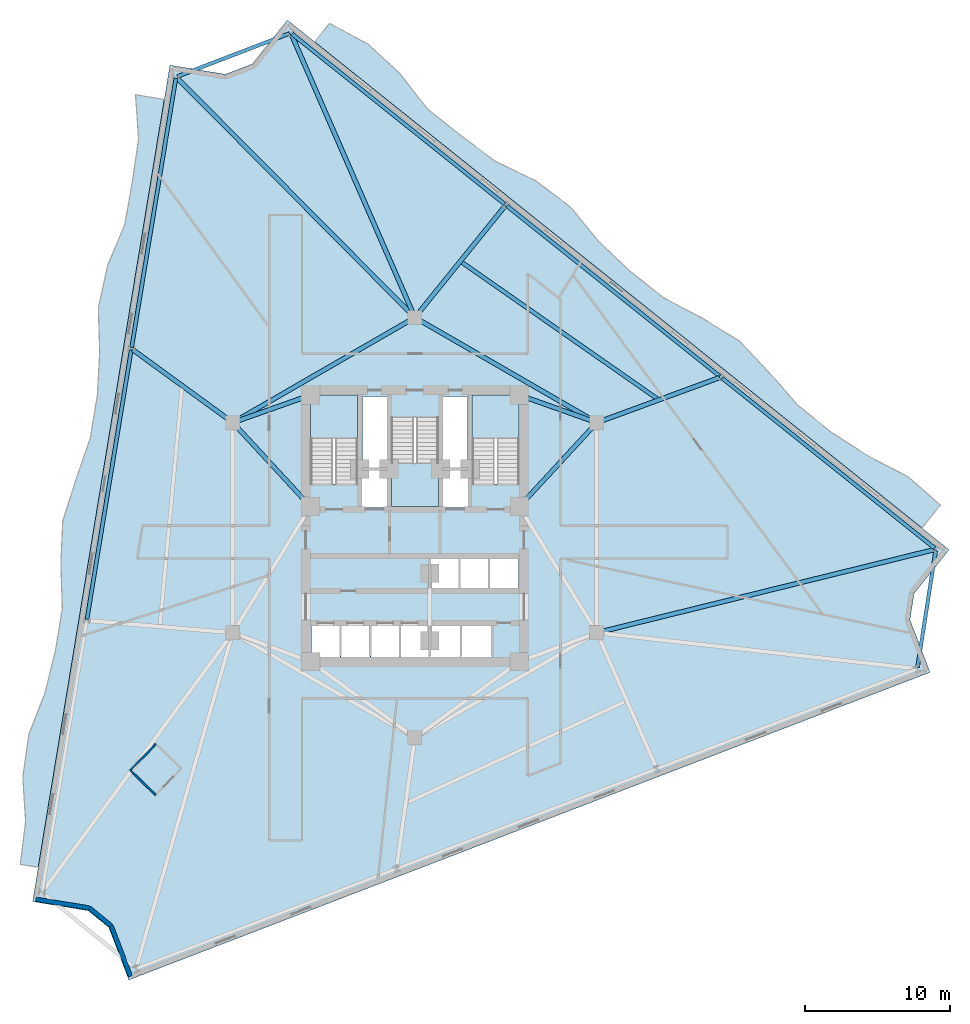
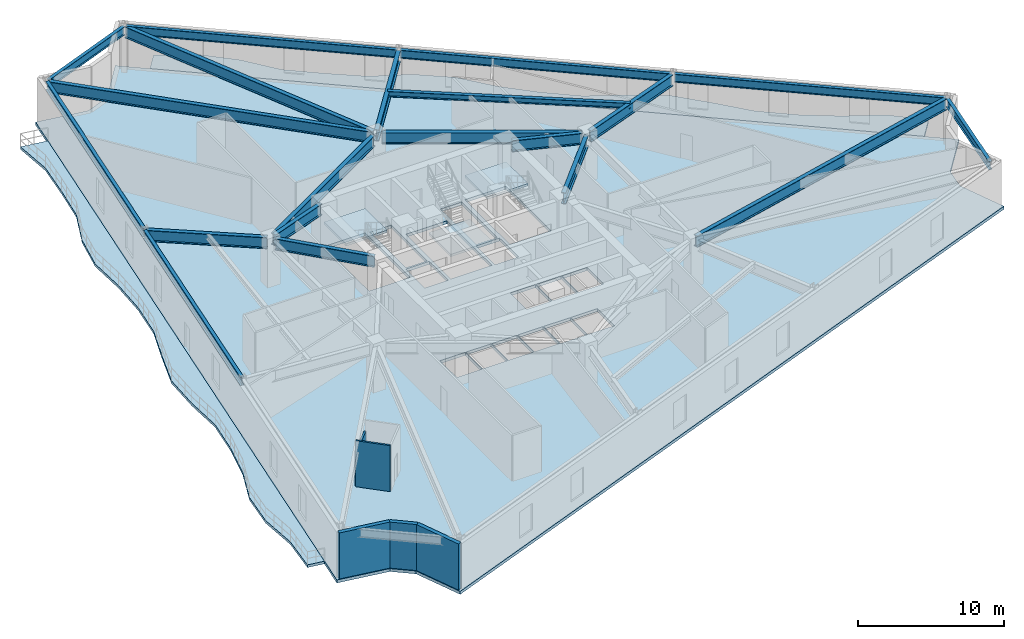
# One storey, part 3 of 10: 20 beams, 6 slabs, 5 walls, 3 elements without a shape of their own.
"""IFC4 building model written with IfcOpenShell, lengths in metres."""

from ifc_helpers import new_model, si_unit, direction, frame, frame_2d, origin, origin_2d, place, context, subcontext, project, spatial, polyline, rectangle, i_section, outline, extrude, material, layer, layer_set, material_profile, profile_set, type_object, element, aggregate, save


model = new_model("IFC4")

# Units and contexts
model_context = context("Model", 3, precision=1e-05, world=origin(), true_north=direction((0.0, 1.0)))
body_context = subcontext(model_context, "Body", "Model", "MODEL_VIEW")
ifc_project = project(units=[si_unit("LENGTHUNIT", "METRE"), si_unit("AREAUNIT", "SQUARE_METRE"), si_unit("VOLUMEUNIT", "CUBIC_METRE"), si_unit("PLANEANGLEUNIT", "RADIAN"), si_unit("MASSUNIT", "GRAM", prefix="KILO")], contexts=[model_context])

# Site, building, storey
site_placement = place(None, origin())
site = spatial("IfcSite", under=ifc_project, at=site_placement, CompositionType="ELEMENT")
building_placement = place(site_placement, origin())
building = spatial("IfcBuilding", under=site, at=building_placement, Name="Apsidion Concourse Tower", CompositionType="ELEMENT")
storey_placement = place(building_placement, frame((0.0, 0.0, 152.699951171875)))
storey = spatial("IfcBuildingStorey", under=building, at=storey_placement, Name="L35", CompositionType="ELEMENT", Elevation=152.699951171875)

# Beams
ifc_material_1 = material(Name="Structural steel ASTM A992 Grade 50", Category="steel")
ifc_material_profile_1 = material_profile(ifc_material_1, i_section(OverallWidth=0.280029296875, OverallDepth=0.462890625, WebThickness=0.0107421875, FlangeThickness=0.017333984375, at=origin_2d()), Name="W18X76")
ifc_profile_set_1 = profile_set([ifc_material_profile_1], Name="Structural steel ASTM A992 Grade 50")
beam_type_1 = type_object("IfcBeamType", Name="BM-FL-W18M", PredefinedType="BEAM", material=ifc_profile_set_1)
beam_1_placement = place(storey_placement, frame((16.836181640625, 8.818359375, 3.61865234375), z_axis=(-0.819987071057, 0.572382043131, 0.0), x_axis=(-0.572382043131, -0.819987071057, 0.0)))
element("IfcBeam", 1, at=beam_1_placement, inside=storey, type_object=beam_type_1, Name="L35 Secondary Floor Beam SEC-F3", PredefinedType="BEAM", context=body_context, shape_type="SweptSolid", body=[
    extrude(i_section(OverallWidth=0.280029296875, OverallDepth=0.462890625, WebThickness=0.0107421875, FlangeThickness=0.017333984375, at=origin_2d()), origin(), (0.0, 0.0, 1.0), 16.70703125),
])
ifc_material_profile_2 = material_profile(ifc_material_1, i_section(OverallWidth=0.31005859375, OverallDepth=0.931884765625, WebThickness=0.02099609375, FlangeThickness=0.034423828125, at=origin_2d()), Name="W36X210")
ifc_profile_set_2 = profile_set([ifc_material_profile_2], Name="Structural steel ASTM A992 Grade 50")
beam_type_2 = type_object("IfcBeamType", Name="BM-G-W36", PredefinedType="USERDEFINED", material=ifc_profile_set_2)
beam_2_placement = place(storey_placement, frame((12.28857421875, 6.956298828125, 3.384033203125), z_axis=(-0.678712876106, -0.73440372535, 0.0), x_axis=(0.73440372535, -0.678712876106, 0.0)))
element("IfcBeam", 2, at=beam_2_placement, inside=storey, type_object=beam_type_2, Name="L35 Core Coupling Girder IC3-SC3", ObjectType="GIRDER", PredefinedType="USERDEFINED", context=body_context, shape_type="SweptSolid", body=[
    extrude(i_section(OverallWidth=0.31005859375, OverallDepth=0.931884765625, WebThickness=0.02099609375, FlangeThickness=0.034423828125, at=origin_2d()), origin(), (0.0, 0.0, 1.0), 7.097412109375),
])
beam_3_placement = place(storey_placement, frame((12.18310546875, 7.383544921875, 3.384033203125), z_axis=(-0.942533844539, 0.334110688094, 0.0), x_axis=(-0.334110688094, -0.942533844539, 0.0)))
element("IfcBeam", 3, at=beam_3_placement, inside=storey, type_object=beam_type_2, Name="L35 Core Coupling Girder IC3-SC4", ObjectType="GIRDER", PredefinedType="USERDEFINED", context=body_context, shape_type="SweptSolid", body=[
    extrude(i_section(OverallWidth=0.31005859375, OverallDepth=0.931884765625, WebThickness=0.02099609375, FlangeThickness=0.034423828125, at=origin_2d()), origin(), (0.0, 0.0, 1.0), 4.886962890625),
])
beam_4_placement = place(storey_placement, frame((-12.28857421875, 6.956298828125, 3.384033203125), z_axis=(0.678712876106, -0.73440372535, 0.0), x_axis=(0.73440372535, 0.678712876106, 0.0)))
element("IfcBeam", 4, at=beam_4_placement, inside=storey, type_object=beam_type_2, Name="L35 Core Coupling Girder IC5-SC6", ObjectType="GIRDER", PredefinedType="USERDEFINED", context=body_context, shape_type="SweptSolid", body=[
    extrude(i_section(OverallWidth=0.31005859375, OverallDepth=0.931884765625, WebThickness=0.02099609375, FlangeThickness=0.034423828125, at=origin_2d()), origin(), (0.0, 0.0, 1.0), 7.097412109375),
])
beam_5_placement = place(storey_placement, frame((-12.18310546875, 7.383544921875, 3.384033203125), z_axis=(0.942533844539, 0.334110688094, 0.0), x_axis=(-0.334110688094, 0.942533844539, 0.0)))
element("IfcBeam", 5, at=beam_5_placement, inside=storey, type_object=beam_type_2, Name="L35 Core Coupling Girder IC5-SC5", ObjectType="GIRDER", PredefinedType="USERDEFINED", context=body_context, shape_type="SweptSolid", body=[
    extrude(i_section(OverallWidth=0.31005859375, OverallDepth=0.931884765625, WebThickness=0.02099609375, FlangeThickness=0.034423828125, at=origin_2d()), origin(), (0.0, 0.0, 1.0), 4.886962890625),
])
for number, where, z_axis, x_axis, name in (
    (6, (-12.213623046875, 7.449951171875, 3.384033203125), (0.866070471464, 0.499921932364, 0.0), (-0.499921932364, 0.866070471464, 0.0), "L35 Core Coupling Girder IC5-IC4"),
    (7, (0.346435546875, 14.300048828125, 3.384033203125), (0.866070471464, -0.499921932364, 0.0), (0.499921932364, 0.866070471464, 0.0), "L35 Core Coupling Girder IC4-IC3"),
):
    element("IfcBeam", number, at=place(storey_placement, frame(where, z_axis=z_axis, x_axis=x_axis)), inside=storey, type_object=beam_type_2, Name=name, ObjectType="GIRDER", PredefinedType="USERDEFINED", context=body_context, shape_type="SweptSolid", body=[
        extrude(i_section(OverallWidth=0.31005859375, OverallDepth=0.931884765625, WebThickness=0.02099609375, FlangeThickness=0.034423828125, at=origin_2d()), origin(), (0.0, 0.0, 1.0), 13.702392578125),
    ])
beam_6_placement = place(storey_placement, frame((-0.155029296875, 14.656005859375, 3.384033203125), z_axis=(-0.704472079086, 0.709731702679, 0.0), x_axis=(-0.709731702679, -0.704472079086, 0.0)))
element("IfcBeam", 8, at=beam_6_placement, inside=storey, type_object=beam_type_2, Name="L35 Radial Floor Girder RAD-01", ObjectType="GIRDER", PredefinedType="USERDEFINED", context=body_context, shape_type="SweptSolid", body=[
    extrude(i_section(OverallWidth=0.31005859375, OverallDepth=0.931884765625, WebThickness=0.02099609375, FlangeThickness=0.034423828125, at=origin_2d()), origin(), (0.0, 0.0, 1.0), 23.069580078125),
])
beam_7_placement = place(storey_placement, frame((-12.73779296875, 7.37939453125, 3.384033203125), z_axis=(-0.80838519092, 0.588653873767, 0.0), x_axis=(-0.588653873767, -0.80838519092, 0.0)))
element("IfcBeam", 9, at=beam_7_placement, inside=storey, type_object=beam_type_2, Name="L35 Radial Floor Girder RAD-02", ObjectType="GIRDER", PredefinedType="USERDEFINED", context=body_context, shape_type="SweptSolid", body=[
    extrude(i_section(OverallWidth=0.31005859375, OverallDepth=0.931884765625, WebThickness=0.02099609375, FlangeThickness=0.034423828125, at=origin_2d()), origin(), (0.0, 0.0, 1.0), 8.337646484375),
])
beam_8_placement = place(storey_placement, frame((12.773681640625, -7.197509765625, 3.384033203125), z_axis=(0.970978267366, 0.239167732569, 0.0), x_axis=(-0.239167732569, 0.970978267366, 0.0)))
element("IfcBeam", 10, at=beam_8_placement, inside=storey, type_object=beam_type_2, Name="L35 Radial Floor Girder RAD-09", ObjectType="GIRDER", PredefinedType="USERDEFINED", context=body_context, shape_type="SweptSolid", body=[
    extrude(i_section(OverallWidth=0.31005859375, OverallDepth=0.931884765625, WebThickness=0.02099609375, FlangeThickness=0.034423828125, at=origin_2d()), origin(), (0.0, 0.0, 1.0), 23.770263671875),
])
beam_9_placement = place(storey_placement, frame((12.7666015625, 7.32568359375, 3.384033203125), z_axis=(0.938840099728, 0.34435340443, 0.0), x_axis=(-0.34435340443, 0.938840099728, 0.0)))
element("IfcBeam", 11, at=beam_9_placement, inside=storey, type_object=beam_type_2, Name="L35 Radial Floor Girder RAD-10", ObjectType="GIRDER", PredefinedType="USERDEFINED", context=body_context, shape_type="SweptSolid", body=[
    extrude(i_section(OverallWidth=0.31005859375, OverallDepth=0.931884765625, WebThickness=0.02099609375, FlangeThickness=0.034423828125, at=origin_2d()), origin(), (0.0, 0.0, 1.0), 8.789306640625),
])
beam_10_placement = place(storey_placement, frame((0.13818359375, 14.671142578125, 3.384033203125), z_axis=(0.628598256624, 0.777730179284, 0.0), x_axis=(-0.777730179284, 0.628598256624, 0.0)))
element("IfcBeam", 12, at=beam_10_placement, inside=storey, type_object=beam_type_2, Name="L35 Radial Floor Girder RAD-11", ObjectType="GIRDER", PredefinedType="USERDEFINED", context=body_context, shape_type="SweptSolid", body=[
    extrude(i_section(OverallWidth=0.31005859375, OverallDepth=0.931884765625, WebThickness=0.02099609375, FlangeThickness=0.034423828125, at=origin_2d()), origin(), (0.0, 0.0, 1.0), 9.660400390625),
])
beam_11_placement = place(storey_placement, frame((-0.087890625, 14.70166015625, 3.384033203125), z_axis=(-0.39980027304, 0.916602281078, 0.0), x_axis=(-0.916602281078, -0.39980027304, 0.0)))
element("IfcBeam", 13, at=beam_11_placement, inside=storey, type_object=beam_type_2, Name="L35 Radial Floor Girder RAD-12", ObjectType="GIRDER", PredefinedType="USERDEFINED", context=body_context, shape_type="SweptSolid", body=[
    extrude(i_section(OverallWidth=0.31005859375, OverallDepth=0.931884765625, WebThickness=0.02099609375, FlangeThickness=0.034423828125, at=origin_2d()), origin(), (0.0, 0.0, 1.0), 21.104248046875),
])
ifc_material_profile_3 = material_profile(ifc_material_1, i_section(OverallWidth=0.256103515625, OverallDepth=0.693115234375, WebThickness=0.014404296875, FlangeThickness=0.023681640625, at=origin_2d()), Name="W27X114")
ifc_profile_set_3 = profile_set([ifc_material_profile_3], Name="Structural steel ASTM A992 Grade 50")
beam_type_3 = type_object("IfcBeamType", Name="BM-SP-W27", PredefinedType="SPANDREL", material=ifc_profile_set_3)
for number, where, z_axis, x_axis, name in (
    (14, (-16.493408203125, 31.001708984375, 3.503662109375), (-0.162122790078, -0.986770591849, 0.0), (0.986770591849, -0.162122790078, 0.0), "L35 Perimeter Spandrel Girder SP-01"),
    (15, (-19.57470703125, 12.24755859375, 3.503662109375), (-0.162110148975, -0.986772668652, 0.0), (0.986772668652, -0.162110148975, 0.0), "L35 Perimeter Spandrel Girder SP-02"),
):
    element("IfcBeam", number, at=place(storey_placement, frame(where, z_axis=z_axis, x_axis=x_axis)), inside=storey, type_object=beam_type_3, Name=name, PredefinedType="SPANDREL", context=body_context, shape_type="SweptSolid", body=[
        extrude(i_section(OverallWidth=0.256103515625, OverallDepth=0.693115234375, WebThickness=0.014404296875, FlangeThickness=0.023681640625, at=origin_2d()), origin(), (0.0, 0.0, 1.0), 18.8056640625),
    ])
beam_12_placement = place(storey_placement, frame((34.68408203125, -9.64013671875, 3.503662109375), z_axis=(0.153594554534, 0.988133954896, 0.0), x_axis=(-0.988133954896, 0.153594554534, 0.0)))
element("IfcBeam", 16, at=beam_12_placement, inside=storey, type_object=beam_type_3, Name="L35 Perimeter Spandrel Girder SP-08", PredefinedType="SPANDREL", context=body_context, shape_type="SweptSolid", body=[
    extrude(i_section(OverallWidth=0.256103515625, OverallDepth=0.693115234375, WebThickness=0.014404296875, FlangeThickness=0.023681640625, at=origin_2d()), origin(), (0.0, 0.0, 1.0), 8.1494140625),
])
beam_13_placement = place(storey_placement, frame((35.873046875, -1.426025390625, 3.503662109375), z_axis=(-0.780761138975, 0.624829611868, 0.0), x_axis=(-0.624829611868, -0.780761138975, 0.0)))
element("IfcBeam", 17, at=beam_13_placement, inside=storey, type_object=beam_type_3, Name="L35 Perimeter Spandrel Girder SP-09", PredefinedType="SPANDREL", context=body_context, shape_type="SweptSolid", body=[
    extrude(i_section(OverallWidth=0.256103515625, OverallDepth=0.693115234375, WebThickness=0.014404296875, FlangeThickness=0.023681640625, at=origin_2d()), origin(), (0.0, 0.0, 1.0), 18.805419921875),
])
for number, where, z_axis, x_axis, name in (
    (18, (21.0341796875, 10.44921875, 3.503662109375), (-0.780754805621, 0.624837525682, 0.0), (-0.624837525682, -0.780754805621, 0.0), "L35 Perimeter Spandrel Girder SP-10"),
    (19, (6.1953125, 22.32470703125, 3.503662109375), (-0.780754805621, 0.624837525682, 0.0), (-0.624837525682, -0.780754805621, 0.0), "L35 Perimeter Spandrel Girder SP-11"),
):
    element("IfcBeam", number, at=place(storey_placement, frame(where, z_axis=z_axis, x_axis=x_axis)), inside=storey, type_object=beam_type_3, Name=name, PredefinedType="SPANDREL", context=body_context, shape_type="SweptSolid", body=[
        extrude(i_section(OverallWidth=0.256103515625, OverallDepth=0.693115234375, WebThickness=0.014404296875, FlangeThickness=0.023681640625, at=origin_2d()), origin(), (0.0, 0.0, 1.0), 18.8056640625),
    ])
beam_14_placement = place(storey_placement, frame((-8.65869140625, 34.101806640625, 3.503662109375), z_axis=(-0.933572784053, -0.35838785816, 0.0), x_axis=(0.35838785816, -0.933572784053, 0.0)))
element("IfcBeam", 20, at=beam_14_placement, inside=storey, type_object=beam_type_3, Name="L35 Perimeter Spandrel Girder SP-12", PredefinedType="SPANDREL", context=body_context, shape_type="SweptSolid", body=[
    extrude(i_section(OverallWidth=0.256103515625, OverallDepth=0.693115234375, WebThickness=0.014404296875, FlangeThickness=0.023681640625, at=origin_2d()), origin(), (0.0, 0.0, 1.0), 8.274658203125),
])

# Slabs
ifc_material_2 = material(Name="Concrete C50/60", Category="concrete")
ifc_layer_1 = layer(ifc_material_2, 0.219970703125)
ifc_layer_set_1 = layer_set([ifc_layer_1], Name="Concrete C50/60")
slab_type_1 = type_object("IfcSlabType", Name="SL-BAL-220", PredefinedType="FLOOR", material=ifc_layer_set_1)
slab_1_placement = place(storey_placement, frame((0.0, 0.0, -0.219970703125)))
element("IfcSlab", 21, at=slab_1_placement, inside=storey, type_object=slab_type_1, Name="L35 Face 3 Rippling Balcony Slab", PredefinedType="FLOOR", context=body_context, shape_type="SweptSolid", body=[
    extrude(outline(polyline([(34.997314453125, -0.025634765625), (32.668701171875, 1.83837890625), (30.33984375, 3.70263671875), (28.01123046875, 5.56689453125), (25.6826171875, 7.430908203125), (23.353759765625, 9.295166015625), (21.025146484375, 11.159423828125), (18.6962890625, 13.023681640625), (16.36767578125, 14.8876953125), (14.0390625, 16.751953125), (11.71044921875, 18.6162109375), (9.381591796875, 20.480224609375), (7.052978515625, 22.344482421875), (4.724365234375, 24.208740234375), (2.3955078125, 26.072998046875), (0.06689453125, 27.93701171875), (-2.26171875, 29.80126953125), (-4.590576171875, 31.665283203125), (-6.919189453125, 33.529541015625), (-5.901611328125, 34.80078125), (-3.231201171875, 33.36328125), (-1.038330078125, 31.32958984375), (0.84814453125, 28.912841796875), (3.1767578125, 27.048583984375), (5.57080078125, 25.26611328125), (8.3310546875, 23.94091796875), (10.713134765625, 22.1435546875), (12.65185546875, 19.792236328125), (14.8203125, 17.727783203125), (17.14892578125, 15.863525390625), (19.837890625, 14.449462890625), (22.399658203125, 12.87646484375), (24.46533203125, 10.68359375), (26.463623046875, 8.406982421875), (28.79248046875, 6.542724609375), (31.31396484375, 4.91943359375), (34.013671875, 3.5185546875), (36.253173828125, 1.543212890625), (34.997314453125, -0.025634765625)])), origin(), (0.0, 0.0, 1.0), 0.219970703125),
])
slab_2_placement = place(storey_placement, frame((0.0, 0.0, -0.219970703125)))
element("IfcSlab", 22, at=slab_2_placement, inside=storey, type_object=slab_type_1, Name="L35 Face 1 Rippling Balcony Slab", PredefinedType="FLOOR", context=body_context, shape_type="SweptSolid", body=[
    extrude(outline(polyline([(-17.293701171875, 29.547119140625), (-17.77685546875, 26.603515625), (-18.260009765625, 23.66015625), (-18.7431640625, 20.716552734375), (-19.226318359375, 17.77294921875), (-19.709716796875, 14.829345703125), (-20.192626953125, 11.8857421875), (-20.67578125, 8.9423828125), (-21.1591796875, 5.998779296875), (-21.642333984375, 3.05517578125), (-22.12548828125, 0.111572265625), (-22.608642578125, -2.83203125), (-23.091796875, -5.775390625), (-23.574951171875, -8.718994140625), (-24.05810546875, -11.66259765625), (-24.541259765625, -14.606201171875), (-25.0244140625, -17.5498046875), (-25.507568359375, -20.493408203125), (-25.99072265625, -23.43701171875), (-27.224365234375, -23.234375), (-26.860595703125, -20.271240234375), (-27.053466796875, -17.216796875), (-26.6357421875, -14.262451171875), (-25.527587890625, -11.42138671875), (-24.808349609375, -8.5166015625), (-24.3251953125, -5.572998046875), (-24.426513671875, -2.53369140625), (-24.294921875, 0.4677734375), (-23.381103515625, 3.340576171875), (-22.392578125, 6.201171875), (-21.909423828125, 9.144775390625), (-21.748046875, 12.14111328125), (-21.839599609375, 15.178955078125), (-21.197265625, 18.096435546875), (-20.015380859375, 20.92529296875), (-19.49365234375, 23.862548828125), (-19.06494140625, 26.815185546875), (-19.27685546875, 29.872802734375), (-17.293701171875, 29.547119140625)])), origin(), (0.0, 0.0, 1.0), 0.219970703125),
])
ifc_layer_2 = layer(ifc_material_2, 0.25)
ifc_layer_set_2 = layer_set([ifc_layer_2], Name="Concrete C50/60")
slab_type_2 = type_object("IfcSlabType", Name="SL-FLR-250", PredefinedType="FLOOR", material=ifc_layer_set_2)
slab_3_placement = place(storey_placement, frame((0.0, 0.0, -0.25)))
element("IfcSlab", 23, at=slab_3_placement, inside=storey, type_object=slab_type_2, Name="L35 Structural Floor Slab", PredefinedType="FLOOR", context=body_context, shape_type="SweptSolid", body=[
    extrude(outline(polyline([(-8.792724609375, 35.029541015625), (-11.219970703125, 31.997802734375), (-13.072509765625, 31.286376953125), (-16.905029296875, 31.91552734375), (-26.37939453125, -25.80517578125), (-22.547119140625, -26.434326171875), (-21.131103515625, -27.587646484375), (-19.7392578125, -31.21337890625), (35.554931640625, -9.98779296875), (34.1630859375, -6.3623046875), (34.44384765625, -4.5576171875), (36.870849609375, -1.525634765625), (-8.792724609375, 35.029541015625)]), holes=[polyline([(-3.949951171875, 3.0), (-3.949951171875, 9.14990234375), (-7.199951171875, 9.14990234375), (-7.199951171875, 3.0), (-3.949951171875, 3.0)]), polyline([(7.199951171875, 3.0), (7.199951171875, 9.14990234375), (3.949951171875, 9.14990234375), (3.949951171875, 3.0), (7.199951171875, 3.0)]), polyline([(-1.625, 7.60009765625), (-1.625, 1.449951171875), (1.625, 1.449951171875), (1.625, 7.60009765625), (-1.625, 7.60009765625)]), polyline([(1.054931640625, -4.300048828125), (3.044921875, -4.300048828125), (3.044921875, -2.050048828125), (1.054931640625, -2.050048828125), (1.054931640625, -4.300048828125)]), polyline([(3.10498046875, -4.300048828125), (5.094970703125, -4.300048828125), (5.094970703125, -2.050048828125), (3.10498046875, -2.050048828125), (3.10498046875, -4.300048828125)]), polyline([(5.155029296875, -4.300048828125), (7.14501953125, -4.300048828125), (7.14501953125, -2.050048828125), (5.155029296875, -2.050048828125), (5.155029296875, -4.300048828125)]), polyline([(-7.14501953125, -8.949951171875), (-5.155029296875, -8.949951171875), (-5.155029296875, -6.64990234375), (-7.14501953125, -6.64990234375), (-7.14501953125, -8.949951171875)]), polyline([(-5.094970703125, -8.949951171875), (-3.10498046875, -8.949951171875), (-3.10498046875, -6.64990234375), (-5.094970703125, -6.64990234375), (-5.094970703125, -8.949951171875)]), polyline([(-3.044921875, -8.949951171875), (-1.054931640625, -8.949951171875), (-1.054931640625, -6.64990234375), (-3.044921875, -6.64990234375), (-3.044921875, -8.949951171875)]), polyline([(-0.9951171875, -8.949951171875), (0.9951171875, -8.949951171875), (0.9951171875, -6.64990234375), (-0.9951171875, -6.64990234375), (-0.9951171875, -8.949951171875)]), polyline([(1.044921875, -9.0), (3.155029296875, -9.0), (3.155029296875, -6.64990234375), (1.044921875, -6.64990234375), (1.044921875, -9.0)]), polyline([(3.195068359375, -9.0), (5.304931640625, -9.0), (5.304931640625, -6.64990234375), (3.195068359375, -6.64990234375), (3.195068359375, -9.0)]), polyline([(-3.7099609375, 1.39990234375), (-1.85009765625, 1.39990234375), (-1.85009765625, 4.0), (-3.7099609375, 4.0), (-3.7099609375, 1.39990234375)]), polyline([(1.85009765625, 1.39990234375), (3.7099609375, 1.39990234375), (3.7099609375, 4.0), (1.85009765625, 4.0), (1.85009765625, 1.39990234375)]), polyline([(-3.6201171875, 4.14990234375), (-1.93994140625, 4.14990234375), (-1.93994140625, 9.050048828125), (-3.6201171875, 9.050048828125), (-3.6201171875, 4.14990234375)]), polyline([(1.93994140625, 4.14990234375), (3.6201171875, 4.14990234375), (3.6201171875, 9.050048828125), (1.93994140625, 9.050048828125), (1.93994140625, 4.14990234375)])]), origin(), (0.0, 0.0, 1.0), 0.25),
])

# Stair, slab
ifc_material_3 = material(Name="Precast concrete C40/50", Category="concrete")
stair_type = type_object("IfcStairType", Name="ST-DL-1550", PredefinedType="HALF_TURN_STAIR", material=ifc_material_3)
stair_1_placement = place(storey_placement, origin())
stair_1 = element("IfcStair", 24, at=stair_1_placement, inside=storey, type_object=stair_type, Name="L35 Protected Core Exit Stair ST1", PredefinedType="HALF_TURN_STAIR")
ifc_layer_3 = layer(ifc_material_2, 0.199951171875)
ifc_layer_set_3 = layer_set([ifc_layer_3], Name="Concrete C50/60")
slab_type_3 = type_object("IfcSlabType", Name="SL-ST-LAND-200", PredefinedType="LANDING", material=ifc_layer_set_3)
slab_4_placement = place(storey_placement, frame((0.0, 0.0, 1.85009765625)))
slab_4 = element("IfcSlab", 25, at=slab_4_placement, type_object=slab_type_3, Name="ST1 landing 1", PredefinedType="LANDING", context=body_context, shape_type="SweptSolid", body=[
    extrude(outline(polyline([(-3.949951171875, 6.135009765625), (-3.949951171875, 9.14990234375), (-7.199951171875, 9.14990234375), (-7.199951171875, 6.135009765625), (-3.949951171875, 6.135009765625)])), origin(), (0.0, 0.0, 1.0), 0.199951171875),
])
aggregate(stair_1, [slab_4])

stair_2_placement = place(storey_placement, origin())
stair_2 = element("IfcStair", 26, at=stair_2_placement, inside=storey, type_object=stair_type, Name="L35 Protected Core Exit Stair ST2", PredefinedType="HALF_TURN_STAIR")
slab_5_placement = place(storey_placement, frame((0.0, 0.0, 1.85009765625)))
slab_5 = element("IfcSlab", 27, at=slab_5_placement, type_object=slab_type_3, Name="ST2 landing 1", PredefinedType="LANDING", context=body_context, shape_type="SweptSolid", body=[
    extrude(outline(polyline([(7.199951171875, 6.135009765625), (7.199951171875, 9.14990234375), (3.949951171875, 9.14990234375), (3.949951171875, 6.135009765625), (7.199951171875, 6.135009765625)])), origin(), (0.0, 0.0, 1.0), 0.199951171875),
])
aggregate(stair_2, [slab_5])

stair_3_placement = place(storey_placement, origin())
stair_3 = element("IfcStair", 28, at=stair_3_placement, inside=storey, type_object=stair_type, Name="L35 Protected Core Exit Stair ST3", PredefinedType="HALF_TURN_STAIR")
slab_6_placement = place(storey_placement, frame((0.0, 0.0, 1.85009765625)))
slab_6 = element("IfcSlab", 29, at=slab_6_placement, type_object=slab_type_3, Name="ST3 landing 1", PredefinedType="LANDING", context=body_context, shape_type="SweptSolid", body=[
    extrude(outline(polyline([(-1.625, 4.465087890625), (-1.625, 1.449951171875), (1.625, 1.449951171875), (1.625, 4.465087890625), (-1.625, 4.465087890625)])), origin(), (0.0, 0.0, 1.0), 0.199951171875),
])
aggregate(stair_3, [slab_6])

# Walls
ifc_layer_4 = layer(ifc_material_3, 0.300048828125)
ifc_layer_set_4 = layer_set([ifc_layer_4], Name="Precast concrete C40/50")
wall_type_1 = type_object("IfcWallType", Name="WL-EXT-300", PredefinedType="STANDARD", material=ifc_layer_set_4)
wall_1_placement = place(storey_placement, frame((-19.624267578125, -30.954833984375, 0.0), z_axis=(0.0, 0.0, 1.0), x_axis=(-0.358366059171, 0.933581152142, 0.0)))
element("IfcWall", 30, at=wall_1_placement, inside=storey, type_object=wall_type_1, Name="L35 Precast Stone Facade Wall 06", PredefinedType="STANDARD", context=body_context, shape_type="SweptSolid", body=[
    extrude(rectangle(XDim=3.73681640625, YDim=0.300048828125, at=frame_2d((1.868408203125, 0.0))), origin(), (0.0, 0.0, 1.0), 3.85009765625),
])
wall_2_placement = place(storey_placement, frame((-20.96337890625, -27.46630859375, 0.0), z_axis=(0.0, 0.0, 1.0), x_axis=(-0.775367830134, 0.631509879569, 0.0)))
element("IfcWall", 31, at=wall_2_placement, inside=storey, type_object=wall_type_1, Name="L35 Precast Stone Facade Wall 07", PredefinedType="STANDARD", context=body_context, shape_type="SweptSolid", body=[
    extrude(rectangle(XDim=1.93310546875, YDim=0.300048828125, at=frame_2d((0.966552734375, 0.0))), origin(), (0.0, 0.0, 1.0), 3.85009765625),
])
wall_3_placement = place(storey_placement, frame((-22.462158203125, -26.24560546875, 0.0), z_axis=(0.0, 0.0, 1.0), x_axis=(-0.986786597315, 0.16202534172, 0.0)))
element("IfcWall", 32, at=wall_3_placement, inside=storey, type_object=wall_type_1, Name="L35 Precast Stone Facade Wall 08", PredefinedType="STANDARD", context=body_context, shape_type="SweptSolid", body=[
    extrude(rectangle(XDim=3.73681640625, YDim=0.300048828125, at=frame_2d((1.868408203125, 0.0))), origin(), (0.0, 0.0, 1.0), 3.85009765625),
])
ifc_material_4 = material(Name="Gypsum plasterboard partition")
ifc_layer_5 = layer(ifc_material_4, 0.139892578125)
ifc_layer_set_5 = layer_set([ifc_layer_5], Name="Gypsum plasterboard partition")
wall_type_2 = type_object("IfcWallType", Name="WL-INT-PAR-140", PredefinedType="PARTITIONING", material=ifc_layer_set_5)
wall_4_placement = place(storey_placement, frame((-17.868408203125, -14.9248046875, 0.0), z_axis=(0.0, 0.0, 1.0), x_axis=(-0.697186810053, -0.716889497682, 0.0)))
element("IfcWall", 33, at=wall_4_placement, inside=storey, type_object=wall_type_2, Name="L35 Interior Partition WL-L35-POD-OFAWC-S1", PredefinedType="PARTITIONING", context=body_context, shape_type="SweptSolid", body=[
    extrude(rectangle(XDim=2.540283203125, YDim=0.139892578125, at=frame_2d((1.27001953125, 0.0))), origin(), (0.0, 0.0, 1.0), 2.89794921875),
])
wall_5_placement = place(storey_placement, frame((-19.639404296875, -16.745849609375, 0.0), z_axis=(0.0, 0.0, 1.0), x_axis=(0.716942134728, -0.697132681382, 0.0)))
element("IfcWall", 34, at=wall_5_placement, inside=storey, type_object=wall_type_2, Name="L35 Interior Partition WL-L35-POD-OFAWC-S2", PredefinedType="PARTITIONING", context=body_context, shape_type="SweptSolid", body=[
    extrude(rectangle(XDim=2.440185546875, YDim=0.139892578125, at=frame_2d((1.22021484375, 0.0))), origin(), (0.0, 0.0, 1.0), 3.85009765625),
])

save(model, "model.ifc")
